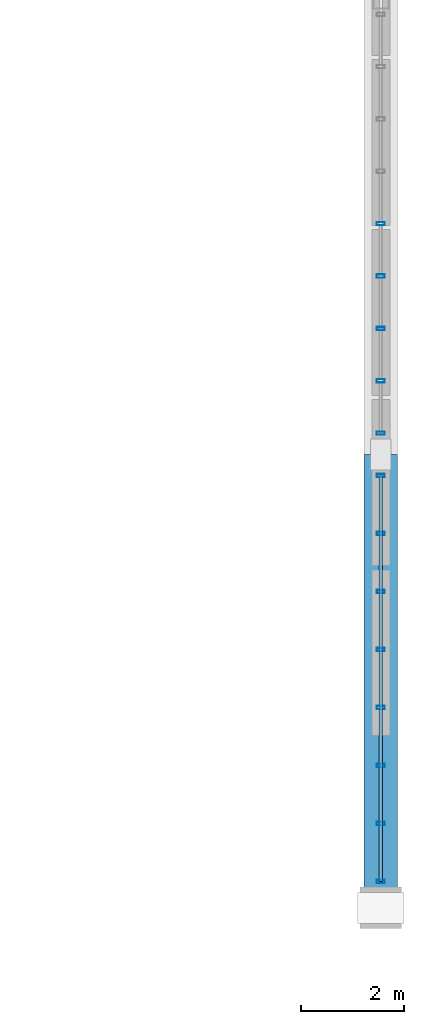
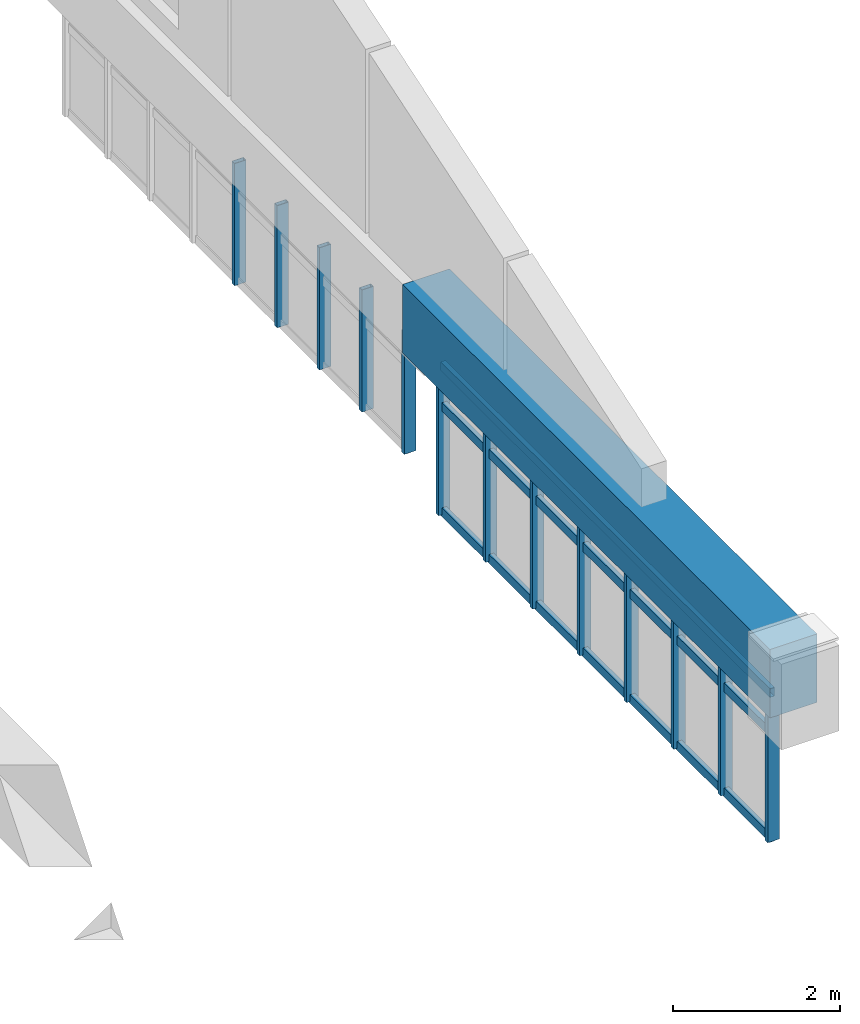
# One storey, part 17 of 65: 16 members, 1 beam, 2 elements without a shape of their own.
"""IFC4 building model written with IfcOpenShell, lengths in metres."""

from ifc_helpers import new_model, si_unit, direction, frame, origin, origin_2d, place, context, subcontext, project, spatial, rectangle, hollow_rectangle, extrude, material, layer, layer_set, material_profile, profile_set, type_object, element, aggregate, save


model = new_model("IFC4")

# Units and contexts
model_context = context("Model", 3, precision=1e-05, world=origin(), true_north=direction((0.0, 1.0)))
body_context = subcontext(model_context, "Body", "Model", "MODEL_VIEW")
ifc_project = project(units=[si_unit("LENGTHUNIT", "METRE"), si_unit("AREAUNIT", "SQUARE_METRE"), si_unit("VOLUMEUNIT", "CUBIC_METRE"), si_unit("PLANEANGLEUNIT", "RADIAN"), si_unit("MASSUNIT", "GRAM", prefix="KILO")], contexts=[model_context])

# Site, building, storey
site_placement = place(None, origin())
site = spatial("IfcSite", under=ifc_project, at=site_placement, CompositionType="ELEMENT")
building_placement = place(site_placement, origin())
building = spatial("IfcBuilding", under=site, at=building_placement, Name="Chalmorin Arch Market", CompositionType="ELEMENT")
storey_placement = place(building_placement, frame((0.0, 0.0, 14.10009765625)))
storey = spatial("IfcBuildingStorey", under=building, at=storey_placement, Name="L03", CompositionType="ELEMENT", Elevation=14.10009765625)

# Beam
ifc_material_1 = material(Name="Concrete C50/60", Category="concrete")
ifc_material_profile_1 = material_profile(ifc_material_1, rectangle(XDim=0.64990234375, YDim=1.0, at=origin_2d()), Name="RC650X1000")
ifc_profile_set_1 = profile_set([ifc_material_profile_1], Name="Concrete C50/60")
beam_type = type_object("IfcBeamType", Name="ArchTieGirder-650x1000", PredefinedType="BEAM", material=ifc_profile_set_1)
beam_placement = place(storey_placement, frame((124.800048828125, 6.0, 0.699951171875), z_axis=(0.0, 1.0, 0.0), x_axis=(-1.0, 0.0, 0.0)))
element("IfcBeam", 1, at=beam_placement, inside=storey, type_object=beam_type, Name="ATG-01-1753", PredefinedType="BEAM", context=body_context, shape_type="SweptSolid", body=[
    extrude(rectangle(XDim=0.64990234375, YDim=1.0, at=origin_2d()), origin(), (0.0, 0.0, 1.0), 8.800048828125),
])

# Curtain wall, members
ifc_material_2 = material(Name="Aluminium 6063-T6", Category="aluminium")
ifc_layer_1 = layer(ifc_material_2, 0.159912109375)
ifc_layer_set_1 = layer_set([ifc_layer_1], Name="Aluminium 6063-T6")
curtain_wall_type_1 = type_object("IfcCurtainWallType", Name="GableTympanumCurtainWall-CW4-7880x2180", PredefinedType="NOTDEFINED", material=ifc_layer_set_1)
curtain_wall_1_placement = place(storey_placement, origin())
curtain_wall_1 = element("IfcCurtainWall", 2, at=curtain_wall_1_placement, inside=storey, type_object=curtain_wall_type_1, Name="CW-04-037", PredefinedType="NOTDEFINED")
ifc_material_profile_2 = material_profile(ifc_material_2, hollow_rectangle(XDim=0.06494140625, YDim=0.159912109375, WallThickness=0.00390625, at=origin_2d()), Name="ALU65X160X4")
ifc_profile_set_2 = profile_set([ifc_material_profile_2], Name="Aluminium 6063-T6")
member_type_1 = type_object("IfcMemberType", Name="CurtainWallMullion-65x160", PredefinedType="MULLION", material=ifc_profile_set_2)
member_1_placement = place(storey_placement, frame((124.800048828125, 6.510009765625, -2.0), z_axis=(0.0, 0.0, 1.0), x_axis=(0.0, 1.0, 0.0)))
member_1 = element("IfcMember", 3, at=member_1_placement, type_object=member_type_1, Name="ML-037-01", PredefinedType="MULLION", context=body_context, shape_type="SweptSolid", body=[
    extrude(hollow_rectangle(XDim=0.06494140625, YDim=0.159912109375, WallThickness=0.00390625, at=origin_2d()), origin(), (0.0, 0.0, 1.0), 2.184814453125),
])
member_2_placement = place(storey_placement, frame((124.800048828125, 7.6357421875, -2.0), z_axis=(0.0, 0.0, 1.0), x_axis=(0.0, 1.0, 0.0)))
member_2 = element("IfcMember", 4, at=member_2_placement, type_object=member_type_1, Name="ML-037-02", PredefinedType="MULLION", context=body_context, shape_type="SweptSolid", body=[
    extrude(hollow_rectangle(XDim=0.06494140625, YDim=0.159912109375, WallThickness=0.00390625, at=origin_2d()), origin(), (0.0, 0.0, 1.0), 2.184814453125),
])
member_3_placement = place(storey_placement, frame((124.800048828125, 8.761474609375, -2.0), z_axis=(0.0, 0.0, 1.0), x_axis=(0.0, 1.0, 0.0)))
member_3 = element("IfcMember", 5, at=member_3_placement, type_object=member_type_1, Name="ML-037-03", PredefinedType="MULLION", context=body_context, shape_type="SweptSolid", body=[
    extrude(hollow_rectangle(XDim=0.06494140625, YDim=0.159912109375, WallThickness=0.00390625, at=origin_2d()), origin(), (0.0, 0.0, 1.0), 2.184814453125),
])
member_4_placement = place(storey_placement, frame((124.800048828125, 9.88720703125, -2.0), z_axis=(0.0, 0.0, 1.0), x_axis=(0.0, 1.0, 0.0)))
member_4 = element("IfcMember", 6, at=member_4_placement, type_object=member_type_1, Name="ML-037-04", PredefinedType="MULLION", context=body_context, shape_type="SweptSolid", body=[
    extrude(hollow_rectangle(XDim=0.06494140625, YDim=0.159912109375, WallThickness=0.00390625, at=origin_2d()), origin(), (0.0, 0.0, 1.0), 2.184814453125),
])
member_5_placement = place(storey_placement, frame((124.800048828125, 11.012939453125, -2.0), z_axis=(0.0, 0.0, 1.0), x_axis=(0.0, 1.0, 0.0)))
member_5 = element("IfcMember", 7, at=member_5_placement, type_object=member_type_1, Name="ML-037-05", PredefinedType="MULLION", context=body_context, shape_type="SweptSolid", body=[
    extrude(hollow_rectangle(XDim=0.06494140625, YDim=0.159912109375, WallThickness=0.00390625, at=origin_2d()), origin(), (0.0, 0.0, 1.0), 2.184814453125),
])
member_6_placement = place(storey_placement, frame((124.800048828125, 12.138671875, -2.0), z_axis=(0.0, 0.0, 1.0), x_axis=(0.0, 1.0, 0.0)))
member_6 = element("IfcMember", 8, at=member_6_placement, type_object=member_type_1, Name="ML-037-06", PredefinedType="MULLION", context=body_context, shape_type="SweptSolid", body=[
    extrude(hollow_rectangle(XDim=0.06494140625, YDim=0.159912109375, WallThickness=0.00390625, at=origin_2d()), origin(), (0.0, 0.0, 1.0), 2.184814453125),
])
member_7_placement = place(storey_placement, frame((124.800048828125, 13.264404296875, -2.0), z_axis=(0.0, 0.0, 1.0), x_axis=(0.0, 1.0, 0.0)))
member_7 = element("IfcMember", 9, at=member_7_placement, type_object=member_type_1, Name="ML-037-07", PredefinedType="MULLION", context=body_context, shape_type="SweptSolid", body=[
    extrude(hollow_rectangle(XDim=0.06494140625, YDim=0.159912109375, WallThickness=0.00390625, at=origin_2d()), origin(), (0.0, 0.0, 1.0), 2.184814453125),
])
member_8_placement = place(storey_placement, frame((124.800048828125, 14.389892578125, -2.0), z_axis=(0.0, 0.0, 1.0), x_axis=(0.0, 1.0, 0.0)))
member_8 = element("IfcMember", 10, at=member_8_placement, type_object=member_type_1, Name="ML-037-08", PredefinedType="MULLION", context=body_context, shape_type="SweptSolid", body=[
    extrude(hollow_rectangle(XDim=0.06494140625, YDim=0.159912109375, WallThickness=0.00390625, at=origin_2d()), origin(), (0.0, 0.0, 1.0), 2.184814453125),
])

ifc_layer_2 = layer(ifc_material_2, 0.159912109375)
ifc_layer_set_2 = layer_set([ifc_layer_2], Name="Aluminium 6063-T6")
curtain_wall_type_2 = type_object("IfcCurtainWallType", Name="GableTympanumCurtainWall-CW4-8130x1780", PredefinedType="NOTDEFINED", material=ifc_layer_set_2)
curtain_wall_2_placement = place(storey_placement, origin())
curtain_wall_2 = element("IfcCurtainWall", 11, at=curtain_wall_2_placement, inside=storey, type_object=curtain_wall_type_2, Name="CW-04-039", PredefinedType="NOTDEFINED")
member_9_placement = place(storey_placement, frame((124.800048828125, 15.2099609375, -1.60009765625), z_axis=(0.0, 0.0, 1.0), x_axis=(0.0, 1.0, 0.0)))
member_9 = element("IfcMember", 12, at=member_9_placement, type_object=member_type_1, Name="ML-039-01", PredefinedType="MULLION", context=body_context, shape_type="SweptSolid", body=[
    extrude(hollow_rectangle(XDim=0.06494140625, YDim=0.159912109375, WallThickness=0.00390625, at=origin_2d()), origin(), (0.0, 0.0, 1.0), 1.784912109375),
])
member_10_placement = place(storey_placement, frame((124.800048828125, 16.22607421875, -1.60009765625), z_axis=(0.0, 0.0, 1.0), x_axis=(0.0, 1.0, 0.0)))
member_10 = element("IfcMember", 13, at=member_10_placement, type_object=member_type_1, Name="ML-039-02", PredefinedType="MULLION", context=body_context, shape_type="SweptSolid", body=[
    extrude(hollow_rectangle(XDim=0.06494140625, YDim=0.159912109375, WallThickness=0.00390625, at=origin_2d()), origin(), (0.0, 0.0, 1.0), 1.784912109375),
])
member_11_placement = place(storey_placement, frame((124.800048828125, 17.241943359375, -1.60009765625), z_axis=(0.0, 0.0, 1.0), x_axis=(0.0, 1.0, 0.0)))
member_11 = element("IfcMember", 14, at=member_11_placement, type_object=member_type_1, Name="ML-039-03", PredefinedType="MULLION", context=body_context, shape_type="SweptSolid", body=[
    extrude(hollow_rectangle(XDim=0.06494140625, YDim=0.159912109375, WallThickness=0.00390625, at=origin_2d()), origin(), (0.0, 0.0, 1.0), 1.784912109375),
])
member_12_placement = place(storey_placement, frame((124.800048828125, 18.2578125, -1.60009765625), z_axis=(0.0, 0.0, 1.0), x_axis=(0.0, 1.0, 0.0)))
member_12 = element("IfcMember", 15, at=member_12_placement, type_object=member_type_1, Name="ML-039-04", PredefinedType="MULLION", context=body_context, shape_type="SweptSolid", body=[
    extrude(hollow_rectangle(XDim=0.06494140625, YDim=0.159912109375, WallThickness=0.00390625, at=origin_2d()), origin(), (0.0, 0.0, 1.0), 1.784912109375),
])
member_13_placement = place(storey_placement, frame((124.800048828125, 19.273681640625, -1.60009765625), z_axis=(0.0, 0.0, 1.0), x_axis=(0.0, 1.0, 0.0)))
member_13 = element("IfcMember", 16, at=member_13_placement, type_object=member_type_1, Name="ML-039-05", PredefinedType="MULLION", context=body_context, shape_type="SweptSolid", body=[
    extrude(hollow_rectangle(XDim=0.06494140625, YDim=0.159912109375, WallThickness=0.00390625, at=origin_2d()), origin(), (0.0, 0.0, 1.0), 1.784912109375),
])
aggregate(curtain_wall_2, [member_9, member_10, member_11, member_12, member_13])

# Member
ifc_material_profile_3 = material_profile(ifc_material_2, hollow_rectangle(XDim=0.06494140625, YDim=0.1298828125, WallThickness=0.00390625, at=origin_2d()), Name="ALU65X130X4")
ifc_profile_set_3 = profile_set([ifc_material_profile_3], Name="Aluminium 6063-T6")
member_type_2 = type_object("IfcMemberType", Name="CurtainWallTransom-65x130", PredefinedType="USERDEFINED", material=ifc_profile_set_3)
member_14_placement = place(storey_placement, frame((124.800048828125, 6.510009765625, -1.965087890625), z_axis=(0.0, 1.0, 0.0), x_axis=(-1.0, 0.0, 0.0)))
member_14 = element("IfcMember", 17, at=member_14_placement, type_object=member_type_2, Name="TR-037-01", ObjectType="TRANSOM", PredefinedType="USERDEFINED", context=body_context, shape_type="SweptSolid", body=[
    extrude(hollow_rectangle(XDim=0.06494140625, YDim=0.1298828125, WallThickness=0.00390625, at=origin_2d()), origin(), (0.0, 0.0, 1.0), 7.8798828125),
])

member_15_placement = place(storey_placement, frame((124.800048828125, 6.510009765625, -0.427001953125), z_axis=(0.0, 1.0, 0.0), x_axis=(-1.0, 0.0, 0.0)))
member_15 = element("IfcMember", 18, at=member_15_placement, type_object=member_type_2, Name="TR-037-02", ObjectType="TRANSOM", PredefinedType="USERDEFINED", context=body_context, shape_type="SweptSolid", body=[
    extrude(hollow_rectangle(XDim=0.06494140625, YDim=0.1298828125, WallThickness=0.00390625, at=origin_2d()), origin(), (0.0, 0.0, 1.0), 7.8798828125),
])

member_16_placement = place(storey_placement, frame((124.800048828125, 6.510009765625, 0.14990234375), z_axis=(0.0, 1.0, 0.0), x_axis=(-1.0, 0.0, 0.0)))
member_16 = element("IfcMember", 19, at=member_16_placement, type_object=member_type_2, Name="TR-037-03", ObjectType="TRANSOM", PredefinedType="USERDEFINED", context=body_context, shape_type="SweptSolid", body=[
    extrude(hollow_rectangle(XDim=0.06494140625, YDim=0.1298828125, WallThickness=0.00390625, at=origin_2d()), origin(), (0.0, 0.0, 1.0), 7.8798828125),
])

aggregate(curtain_wall_1, [member_1, member_2, member_3, member_4, member_5, member_6, member_7, member_8, member_14, member_15, member_16])

save(model, "model.ifc")
